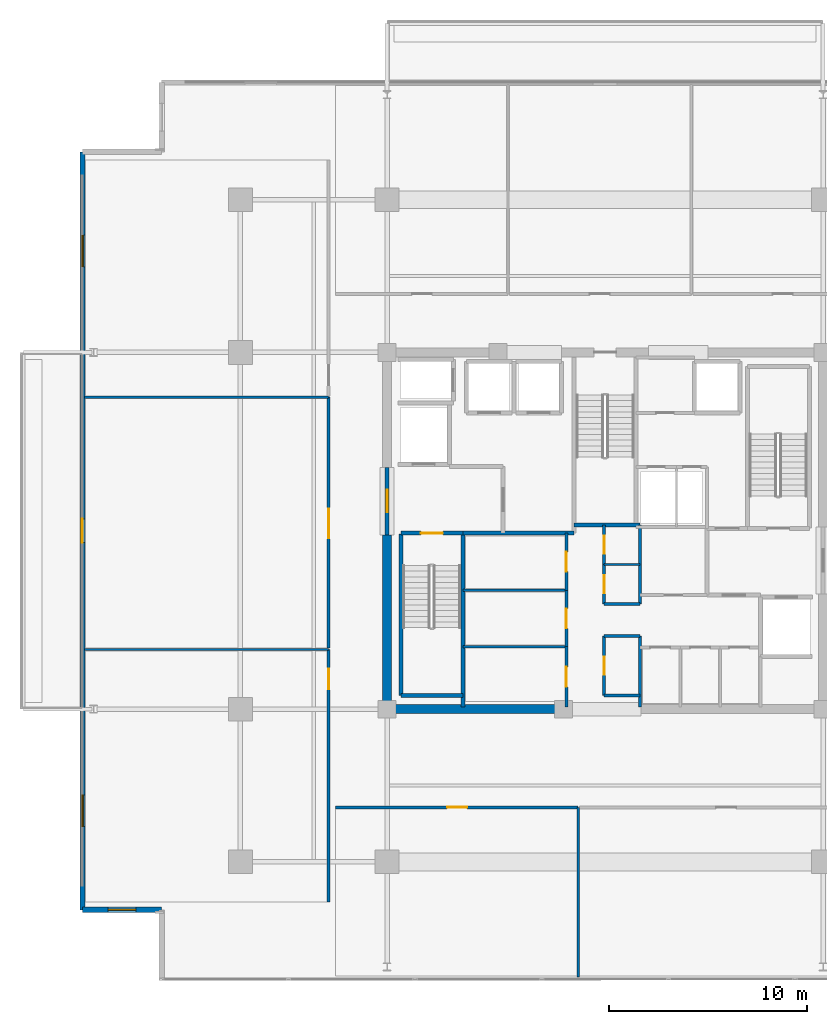
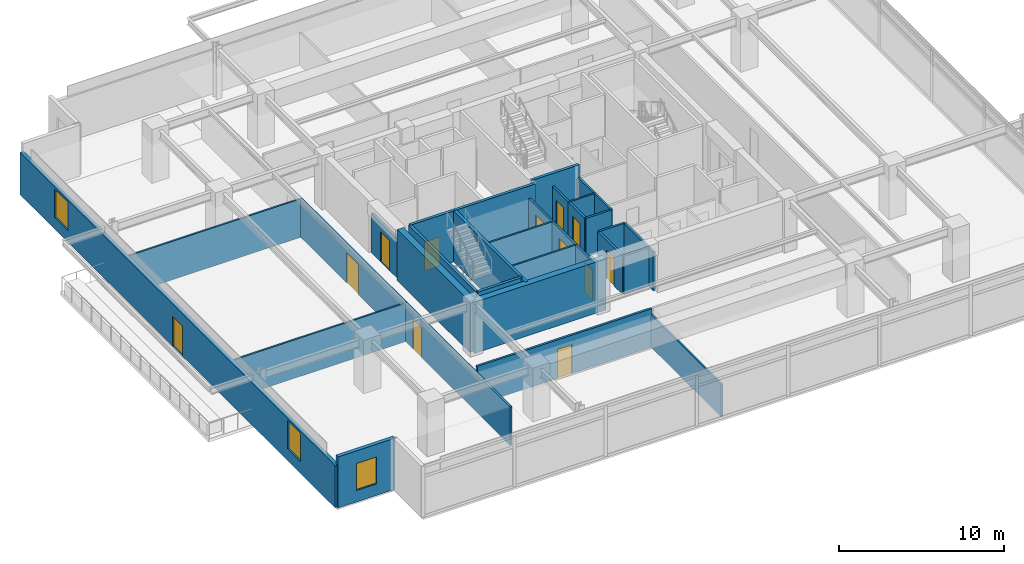
# One storey, part 15 of 21: 31 walls, 12 doors, 3 windows, 15 openings.
"""IFC4 building model written with IfcOpenShell, lengths in metres."""

from ifc_helpers import new_model, si_unit, direction, frame, frame_2d, origin, place, context, subcontext, project, spatial, rectangle, extrude, material, layer, layer_set, type_object, element, fill, save


model = new_model("IFC4")

# Units and contexts
model_context = context("Model", 3, precision=1e-05, world=origin(), true_north=direction((0.0, 1.0)))
body_context = subcontext(model_context, "Body", "Model", "MODEL_VIEW")
ifc_project = project(units=[si_unit("LENGTHUNIT", "METRE"), si_unit("AREAUNIT", "SQUARE_METRE"), si_unit("VOLUMEUNIT", "CUBIC_METRE"), si_unit("PLANEANGLEUNIT", "RADIAN"), si_unit("MASSUNIT", "GRAM", prefix="KILO")], contexts=[model_context])

# Site, building, storey
site_placement = place(None, origin())
site = spatial("IfcSite", under=ifc_project, at=site_placement, CompositionType="ELEMENT")
building_placement = place(site_placement, origin())
building = spatial("IfcBuilding", under=site, at=building_placement, Name="Kovane Verandah Tower", CompositionType="ELEMENT")
storey_placement = place(building_placement, frame((0.0, 0.0, 247.199951171875)))
storey = spatial("IfcBuildingStorey", under=building, at=storey_placement, Name="L57", CompositionType="ELEMENT", Elevation=247.199951171875)

# Walls
ifc_material_1 = material(Name="Fire-Rated Gypsum Stud Partition", Category="gypsum")
ifc_layer_1 = layer(ifc_material_1, 0.14990234375)
ifc_layer_set_1 = layer_set([ifc_layer_1], Name="Fire-Rated Gypsum Stud Partition")
wall_type_1 = type_object("IfcWallType", Name="WL-COR-150", PredefinedType="PARTITIONING", material=ifc_layer_set_1)
for number, where, z_axis, x_axis, name in (
    (1, (39.949951171875, 19.199951171875, 0.0), (0.0, 0.0, 1.0), (1.0, 0.0, 0.0), "L57 Central Core Strip South Wall"),
    (2, (39.949951171875, 22.199951171875, 0.0), (0.0, 0.0, 1.0), (1.0, 0.0, 0.0), "L57 Core Cross-Passage South Wall"),
    (3, (39.949951171875, 23.800048828125, 0.0), (0.0, 0.0, 1.0), (1.0, 0.0, 0.0), "L57 Core Cross-Passage North Wall"),
):
    element("IfcWall", number, at=place(storey_placement, frame(where, z_axis=z_axis, x_axis=x_axis)), inside=storey, type_object=wall_type_1, Name=name, PredefinedType="PARTITIONING", context=body_context, shape_type="SweptSolid", body=[
        extrude(rectangle(XDim=1.81005859375, YDim=0.14990234375, at=frame_2d((0.905029296875, 0.0))), origin(), (0.0, 0.0, 1.0), 2.85009765625),
    ])
wall_1_placement = place(storey_placement, frame((41.760009765625, 18.60009765625, 0.0), z_axis=(0.0, 0.0, 1.0), x_axis=(0.0, 1.0, 0.0)))
element("IfcWall", 4, at=wall_1_placement, inside=storey, type_object=wall_type_1, Name="L57 Central Core Strip Lower East Wall", PredefinedType="PARTITIONING", context=body_context, shape_type="SweptSolid", body=[
    extrude(rectangle(XDim=3.599853515625, YDim=0.14990234375, at=frame_2d((1.7998046875, 0.0))), origin(), (0.0, 0.0, 1.0), 2.85009765625),
])
wall_2_placement = place(storey_placement, frame((41.760009765625, 23.800048828125, 0.0), z_axis=(0.0, 0.0, 1.0), x_axis=(0.0, 1.0, 0.0)))
element("IfcWall", 5, at=wall_2_placement, inside=storey, type_object=wall_type_1, Name="L57 Central Core Strip Upper East Wall", PredefinedType="PARTITIONING", context=body_context, shape_type="SweptSolid", body=[
    extrude(rectangle(XDim=4.0, YDim=0.14990234375, at=frame_2d((2.0, 0.0))), origin(), (0.0, 0.0, 1.0), 2.85009765625),
])

# Wall, opening, door
wall_3_placement = place(storey_placement, frame((39.949951171875, 19.199951171875, 0.0), z_axis=(0.0, 0.0, 1.0), x_axis=(0.0, 1.0, 0.0)))
wall_3 = element("IfcWall", 6, at=wall_3_placement, inside=storey, type_object=wall_type_1, Name="L57 Male Toilet Partition", PredefinedType="PARTITIONING", context=body_context, shape_type="SweptSolid", body=[
    extrude(rectangle(XDim=3.0, YDim=0.14990234375, at=frame_2d((1.5, 0.0))), origin(), (0.0, 0.0, 1.0), 2.85009765625),
])
opening_1_placement = place(wall_3_placement, frame((1.050048828125, 0.0, 0.0)))
opening_1 = element("IfcOpeningElement", 7, at=opening_1_placement, cuts=wall_3, Name="Opening DR-L57-029", PredefinedType="OPENING", context=body_context, shape_type="SweptSolid", body=[
    extrude(rectangle(XDim=0.89990234375, YDim=2.10009765625, at=frame_2d((0.449951171875, 1.050048828125))), frame((0.0, 0.074951171875, 0.0), z_axis=(0.0, -1.0, 0.0), x_axis=(1.0, 0.0, 0.0)), (0.0, 0.0, 1.0), 0.14990234375),
])
ifc_material_2 = material(Name="Moisture-Resistant Laminate Washroom Door", Category="wood")
door_type_1 = type_object("IfcDoorType", Name="DR-WC-900", OperationType="SINGLE_SWING_LEFT", PredefinedType="DOOR", material=ifc_material_2)
door_1_placement = place(opening_1_placement, origin())
door_1 = element("IfcDoor", 8, at=door_1_placement, inside=storey, type_object=door_type_1, Name="L57 Male Toilet Door", OperationType="SINGLE_SWING_RIGHT", OverallHeight=2.10009765625, OverallWidth=0.89990234375, PredefinedType="DOOR", context=body_context, shape_type="SweptSolid", body=[
    extrude(rectangle(XDim=0.89990234375, YDim=2.10009765625, at=frame_2d((0.449951171875, 1.050048828125))), frame((0.0, 0.02490234375, 0.0), z_axis=(0.0, -1.0, 0.0), x_axis=(1.0, 0.0, 0.0)), (0.0, 0.0, 1.0), 0.050048828125),
])
fill(opening_1, door_1)

wall_4_placement = place(storey_placement, frame((39.949951171875, 23.800048828125, 0.0), z_axis=(0.0, 0.0, 1.0), x_axis=(0.0, 1.0, 0.0)))
wall_4 = element("IfcWall", 9, at=wall_4_placement, inside=storey, type_object=wall_type_1, Name="L57 Female Toilet Partition", PredefinedType="PARTITIONING", context=body_context, shape_type="SweptSolid", body=[
    extrude(rectangle(XDim=2.0, YDim=0.14990234375, at=frame_2d((1.0, 0.0))), origin(), (0.0, 0.0, 1.0), 2.85009765625),
])
opening_2_placement = place(wall_4_placement, frame((0.550048828125, 0.0, 0.0)))
opening_2 = element("IfcOpeningElement", 10, at=opening_2_placement, cuts=wall_4, Name="Opening DR-L57-028", PredefinedType="OPENING", context=body_context, shape_type="SweptSolid", body=[
    extrude(rectangle(XDim=0.89990234375, YDim=2.10009765625, at=frame_2d((0.449951171875, 1.050048828125))), frame((0.0, 0.074951171875, 0.0), z_axis=(0.0, -1.0, 0.0), x_axis=(1.0, 0.0, 0.0)), (0.0, 0.0, 1.0), 0.14990234375),
])
door_2_placement = place(opening_2_placement, origin())
door_2 = element("IfcDoor", 11, at=door_2_placement, inside=storey, type_object=door_type_1, Name="L57 Female Toilet Door", OperationType="SINGLE_SWING_LEFT", OverallHeight=2.10009765625, OverallWidth=0.89990234375, PredefinedType="DOOR", context=body_context, shape_type="SweptSolid", body=[
    extrude(rectangle(XDim=0.89990234375, YDim=2.10009765625, at=frame_2d((0.449951171875, 1.050048828125))), frame((0.0, 0.02490234375, 0.0), z_axis=(0.0, -1.0, 0.0), x_axis=(1.0, 0.0, 0.0)), (0.0, 0.0, 1.0), 0.050048828125),
])
fill(opening_2, door_2)

wall_5_placement = place(storey_placement, frame((39.949951171875, 25.800048828125, 0.0), z_axis=(0.0, 0.0, 1.0), x_axis=(0.0, 1.0, 0.0)))
wall_5 = element("IfcWall", 12, at=wall_5_placement, inside=storey, type_object=wall_type_1, Name="L57 Accessible Unisex Toilet Partition", PredefinedType="PARTITIONING", context=body_context, shape_type="SweptSolid", body=[
    extrude(rectangle(XDim=2.0, YDim=0.14990234375, at=frame_2d((1.0, 0.0))), origin(), (0.0, 0.0, 1.0), 2.85009765625),
])
opening_3_placement = place(wall_5_placement, frame((0.550048828125, 0.0, 0.0)))
opening_3 = element("IfcOpeningElement", 13, at=opening_3_placement, cuts=wall_5, Name="Opening DR-L57-027", PredefinedType="OPENING", context=body_context, shape_type="SweptSolid", body=[
    extrude(rectangle(XDim=0.89990234375, YDim=2.10009765625, at=frame_2d((0.449951171875, 1.050048828125))), frame((0.0, 0.074951171875, 0.0), z_axis=(0.0, -1.0, 0.0), x_axis=(1.0, 0.0, 0.0)), (0.0, 0.0, 1.0), 0.14990234375),
])
door_3_placement = place(opening_3_placement, origin())
door_3 = element("IfcDoor", 14, at=door_3_placement, inside=storey, type_object=door_type_1, Name="L57 Accessible Unisex Toilet Door", OperationType="SINGLE_SWING_RIGHT", OverallHeight=2.10009765625, OverallWidth=0.89990234375, PredefinedType="DOOR", context=body_context, shape_type="SweptSolid", body=[
    extrude(rectangle(XDim=0.89990234375, YDim=2.10009765625, at=frame_2d((0.449951171875, 1.050048828125))), frame((0.0, 0.02490234375, 0.0), z_axis=(0.0, -1.0, 0.0), x_axis=(1.0, 0.0, 0.0)), (0.0, 0.0, 1.0), 0.050048828125),
])
fill(opening_3, door_3)

wall_6_placement = place(storey_placement, frame((38.050048828125, 18.60009765625, 0.0), z_axis=(0.0, 0.0, 1.0), x_axis=(0.0, 1.0, 0.0)))
wall_6 = element("IfcWall", 15, at=wall_6_placement, inside=storey, type_object=wall_type_1, Name="L57 Project Archive Room Partition", PredefinedType="PARTITIONING", context=body_context, shape_type="SweptSolid", body=[
    extrude(rectangle(XDim=3.059814453125, YDim=0.14990234375, at=frame_2d((1.52978515625, 0.0))), origin(), (0.0, 0.0, 1.0), 2.85009765625),
])
opening_4_placement = place(wall_6_placement, frame((1.030029296875, 0.0, 0.0)))
opening_4 = element("IfcOpeningElement", 16, at=opening_4_placement, cuts=wall_6, Name="Opening DR-L57-012", PredefinedType="OPENING", context=body_context, shape_type="SweptSolid", body=[
    extrude(rectangle(XDim=1.0, YDim=2.14990234375, at=frame_2d((0.5, 1.074951171875))), frame((0.0, 0.074951171875, 0.0), z_axis=(0.0, -1.0, 0.0), x_axis=(1.0, 0.0, 0.0)), (0.0, 0.0, 1.0), 0.14990234375),
])
ifc_material_3 = material(Name="FSC Spotted-Gum Timber Fire-Rated Office Door", Category="wood")
door_type_2 = type_object("IfcDoorType", Name="DR-OFF-1000", OperationType="SINGLE_SWING_LEFT", PredefinedType="DOOR", material=ifc_material_3)
door_4_placement = place(opening_4_placement, origin())
door_4 = element("IfcDoor", 17, at=door_4_placement, inside=storey, type_object=door_type_2, Name="L57 Project Archive Room Door", OperationType="SINGLE_SWING_LEFT", OverallHeight=2.14990234375, OverallWidth=1.0, PredefinedType="DOOR", context=body_context, shape_type="SweptSolid", body=[
    extrude(rectangle(XDim=1.0, YDim=2.14990234375, at=frame_2d((0.5, 1.074951171875))), frame((0.0, 0.02490234375, 0.0), z_axis=(0.0, -1.0, 0.0), x_axis=(1.0, 0.0, 0.0)), (0.0, 0.0, 1.0), 0.050048828125),
])
fill(opening_4, door_4)

wall_7_placement = place(storey_placement, frame((38.050048828125, 21.659912109375, 0.0), z_axis=(0.0, 0.0, 1.0), x_axis=(0.0, 1.0, 0.0)))
wall_7 = element("IfcWall", 18, at=wall_7_placement, inside=storey, type_object=wall_type_1, Name="L57 First Aid and Wellness Room Partition", PredefinedType="PARTITIONING", context=body_context, shape_type="SweptSolid", body=[
    extrude(rectangle(XDim=2.840087890625, YDim=0.14990234375, at=frame_2d((1.419921875, 0.0))), origin(), (0.0, 0.0, 1.0), 2.85009765625),
])
opening_5_placement = place(wall_7_placement, frame((0.919921875, 0.0, 0.0)))
opening_5 = element("IfcOpeningElement", 19, at=opening_5_placement, cuts=wall_7, Name="Opening DR-L57-013", PredefinedType="OPENING", context=body_context, shape_type="SweptSolid", body=[
    extrude(rectangle(XDim=1.0, YDim=2.14990234375, at=frame_2d((0.5, 1.074951171875))), frame((0.0, 0.074951171875, 0.0), z_axis=(0.0, -1.0, 0.0), x_axis=(1.0, 0.0, 0.0)), (0.0, 0.0, 1.0), 0.14990234375),
])
door_5_placement = place(opening_5_placement, origin())
door_5 = element("IfcDoor", 20, at=door_5_placement, inside=storey, type_object=door_type_2, Name="L57 First Aid and Wellness Room Door", OperationType="SINGLE_SWING_RIGHT", OverallHeight=2.14990234375, OverallWidth=1.0, PredefinedType="DOOR", context=body_context, shape_type="SweptSolid", body=[
    extrude(rectangle(XDim=1.0, YDim=2.14990234375, at=frame_2d((0.5, 1.074951171875))), frame((0.0, 0.02490234375, 0.0), z_axis=(0.0, -1.0, 0.0), x_axis=(1.0, 0.0, 0.0)), (0.0, 0.0, 1.0), 0.050048828125),
])
fill(opening_5, door_5)

wall_8_placement = place(storey_placement, frame((38.050048828125, 24.5, 0.0), z_axis=(0.0, 0.0, 1.0), x_axis=(0.0, 1.0, 0.0)))
wall_8 = element("IfcWall", 21, at=wall_8_placement, inside=storey, type_object=wall_type_1, Name="L57 Tea and Copy Hub Partition", PredefinedType="PARTITIONING", context=body_context, shape_type="SweptSolid", body=[
    extrude(rectangle(XDim=2.8798828125, YDim=0.14990234375, at=frame_2d((1.43994140625, 0.0))), origin(), (0.0, 0.0, 1.0), 2.85009765625),
])
opening_6_placement = place(wall_8_placement, frame((0.93994140625, 0.0, 0.0)))
opening_6 = element("IfcOpeningElement", 22, at=opening_6_placement, cuts=wall_8, Name="Opening DR-L57-014", PredefinedType="OPENING", context=body_context, shape_type="SweptSolid", body=[
    extrude(rectangle(XDim=1.0, YDim=2.14990234375, at=frame_2d((0.5, 1.074951171875))), frame((0.0, 0.074951171875, 0.0), z_axis=(0.0, -1.0, 0.0), x_axis=(1.0, 0.0, 0.0)), (0.0, 0.0, 1.0), 0.14990234375),
])
door_6_placement = place(opening_6_placement, origin())
door_6 = element("IfcDoor", 23, at=door_6_placement, inside=storey, type_object=door_type_2, Name="L57 Tea and Copy Hub Door", OperationType="SINGLE_SWING_LEFT", OverallHeight=2.14990234375, OverallWidth=1.0, PredefinedType="DOOR", context=body_context, shape_type="SweptSolid", body=[
    extrude(rectangle(XDim=1.0, YDim=2.14990234375, at=frame_2d((0.5, 1.074951171875))), frame((0.0, 0.02490234375, 0.0), z_axis=(0.0, -1.0, 0.0), x_axis=(1.0, 0.0, 0.0)), (0.0, 0.0, 1.0), 0.050048828125),
])
fill(opening_6, door_6)

wall_9_placement = place(storey_placement, frame((26.39990234375, 13.550048828125, 0.0), z_axis=(0.0, 0.0, 1.0), x_axis=(1.0, 0.0, 0.0)))
wall_9 = element("IfcWall", 24, at=wall_9_placement, inside=storey, type_object=wall_type_1, Name="L57 Document and Print Room S1 Corridor Partition", PredefinedType="PARTITIONING", context=body_context, shape_type="SweptSolid", body=[
    extrude(rectangle(XDim=12.239990234375, YDim=0.14990234375, at=frame_2d((6.1201171875, 0.0))), origin(), (0.0, 0.0, 1.0), 2.85009765625),
])
opening_7_placement = place(wall_9_placement, frame((5.635009765625, 0.0, 0.0)))
opening_7 = element("IfcOpeningElement", 25, at=opening_7_placement, cuts=wall_9, Name="Opening DR-L57-025", PredefinedType="OPENING", context=body_context, shape_type="SweptSolid", body=[
    extrude(rectangle(XDim=1.0, YDim=2.14990234375, at=frame_2d((0.5, 1.074951171875))), frame((0.0, 0.074951171875, 0.0), z_axis=(0.0, -1.0, 0.0), x_axis=(1.0, 0.0, 0.0)), (0.0, 0.0, 1.0), 0.14990234375),
])
door_7_placement = place(opening_7_placement, origin())
door_7 = element("IfcDoor", 26, at=door_7_placement, inside=storey, type_object=door_type_2, Name="L57 Document and Print Room S1 Entrance Door", OperationType="SINGLE_SWING_RIGHT", OverallHeight=2.14990234375, OverallWidth=1.0, PredefinedType="DOOR", context=body_context, shape_type="SweptSolid", body=[
    extrude(rectangle(XDim=1.0, YDim=2.14990234375, at=frame_2d((0.5, 1.074951171875))), frame((0.0, 0.02490234375, 0.0), z_axis=(0.0, -1.0, 0.0), x_axis=(1.0, 0.0, 0.0)), (0.0, 0.0, 1.0), 0.050048828125),
])
fill(opening_7, door_7)

wall_10_placement = place(storey_placement, frame((26.050048828125, 8.78173828125, 0.0), z_axis=(0.0, 0.0, 1.0), x_axis=(0.0, 1.0, 0.0)))
wall_10 = element("IfcWall", 27, at=wall_10_placement, inside=storey, type_object=wall_type_1, Name="L57 Executive Office W1 Corridor Partition", PredefinedType="PARTITIONING", context=body_context, shape_type="SweptSolid", body=[
    extrude(rectangle(XDim=12.728515625, YDim=0.14990234375, at=frame_2d((6.3642578125, 0.0))), origin(), (0.0, 0.0, 1.0), 2.85009765625),
])
opening_8_placement = place(wall_10_placement, frame((10.71337890625, 0.0, 0.0)))
opening_8 = element("IfcOpeningElement", 28, at=opening_8_placement, cuts=wall_10, Name="Opening DR-L57-030", PredefinedType="OPENING", context=body_context, shape_type="SweptSolid", body=[
    extrude(rectangle(XDim=1.050048828125, YDim=2.199951171875, at=frame_2d((0.52490234375, 1.10009765625))), frame((0.0, 0.074951171875, 0.0), z_axis=(0.0, -1.0, 0.0), x_axis=(1.0, 0.0, 0.0)), (0.0, 0.0, 1.0), 0.14990234375),
])
ifc_material_4 = material(Name="FSC Blackbutt Timber Fire-Rated Executive Door", Category="wood")
door_type_3 = type_object("IfcDoorType", Name="DR-EXEC-1050", OperationType="SINGLE_SWING_LEFT", PredefinedType="DOOR", material=ifc_material_4)
door_8_placement = place(opening_8_placement, origin())
door_8 = element("IfcDoor", 29, at=door_8_placement, inside=storey, type_object=door_type_3, Name="L57 Executive Office W1 Entrance Door", OperationType="SINGLE_SWING_RIGHT", OverallHeight=2.199951171875, OverallWidth=1.050048828125, PredefinedType="DOOR", context=body_context, shape_type="SweptSolid", body=[
    extrude(rectangle(XDim=1.050048828125, YDim=2.199951171875, at=frame_2d((0.52490234375, 1.10009765625))), frame((0.0, 0.02490234375, 0.0), z_axis=(0.0, -1.0, 0.0), x_axis=(1.0, 0.0, 0.0)), (0.0, 0.0, 1.0), 0.050048828125),
])
fill(opening_8, door_8)

wall_11_placement = place(storey_placement, frame((26.050048828125, 21.580078125, 0.0), z_axis=(0.0, 0.0, 1.0), x_axis=(0.0, 1.0, 0.0)))
wall_11 = element("IfcWall", 30, at=wall_11_placement, inside=storey, type_object=wall_type_1, Name="L57 Client Boardroom W2 Corridor Partition", PredefinedType="PARTITIONING", context=body_context, shape_type="SweptSolid", body=[
    extrude(rectangle(XDim=12.658447265625, YDim=0.14990234375, at=frame_2d((6.3291015625, 0.0))), origin(), (0.0, 0.0, 1.0), 2.85009765625),
])
opening_9_placement = place(wall_11_placement, frame((5.544189453125, 0.0, 0.0)))
opening_9 = element("IfcOpeningElement", 31, at=opening_9_placement, cuts=wall_11, Name="Opening DR-L57-031", PredefinedType="OPENING", context=body_context, shape_type="SweptSolid", body=[
    extrude(rectangle(XDim=1.5, YDim=2.25, at=frame_2d((0.75, 1.125))), frame((0.0, 0.074951171875, 0.0), z_axis=(0.0, -1.0, 0.0), x_axis=(1.0, 0.0, 0.0)), (0.0, 0.0, 1.0), 0.14990234375),
])
ifc_material_5 = material(Name="Glazed Timber Fire-Rated Double Door", Category="wood")
door_type_4 = type_object("IfcDoorType", Name="DR-CONF-1500", OperationType="DOUBLE_DOOR_SINGLE_SWING", PredefinedType="DOOR", material=ifc_material_5)
door_9_placement = place(opening_9_placement, origin())
door_9 = element("IfcDoor", 32, at=door_9_placement, inside=storey, type_object=door_type_4, Name="L57 Client Boardroom W2 Entrance Door", OperationType="DOUBLE_DOOR_SINGLE_SWING", OverallHeight=2.25, OverallWidth=1.5, PredefinedType="DOOR", context=body_context, shape_type="SweptSolid", body=[
    extrude(rectangle(XDim=1.5, YDim=2.25, at=frame_2d((0.75, 1.125))), frame((0.0, 0.02490234375, 0.0), z_axis=(0.0, -1.0, 0.0), x_axis=(1.0, 0.0, 0.0)), (0.0, 0.0, 1.0), 0.050048828125),
])
fill(opening_9, door_9)

# Walls
ifc_material_6 = material(Name="Concrete C60/75", Category="concrete")
ifc_layer_2 = layer(ifc_material_6, 0.449951171875)
ifc_layer_set_2 = layer_set([ifc_layer_2], Name="Concrete C60/75")
wall_type_2 = type_object("IfcWallType", Name="WL-CORE-450", PredefinedType="SHEAR", material=ifc_layer_set_2)
wall_12_placement = place(storey_placement, frame((29.0, 18.5, 0.0), z_axis=(0.0, 0.0, 1.0), x_axis=(1.0, 0.0, 0.0)))
element("IfcWall", 33, at=wall_12_placement, inside=storey, type_object=wall_type_2, Name="L57 Core Shear Wall CS-1", PredefinedType="SHEAR", context=body_context, shape_type="SweptSolid", body=[
    extrude(rectangle(XDim=9.199951171875, YDim=0.449951171875, at=frame_2d((4.60009765625, 0.0))), origin(), (0.0, 0.0, 1.0), 3.78515625),
])
wall_13_placement = place(storey_placement, frame((29.0, 18.5, 0.0), z_axis=(0.0, 0.0, 1.0), x_axis=(0.0, 1.0, 0.0)))
element("IfcWall", 34, at=wall_13_placement, inside=storey, type_object=wall_type_2, Name="L57 Core Shear Wall CW-1", PredefinedType="SHEAR", context=body_context, shape_type="SweptSolid", body=[
    extrude(rectangle(XDim=8.800048828125, YDim=0.449951171875, at=frame_2d((4.39990234375, 0.0))), origin(), (0.0, 0.0, 1.0), 3.78515625),
])

# Wall, opening, door
ifc_material_7 = material(Name="Concrete C45/55 Fire Wall", Category="concrete")
ifc_layer_3 = layer(ifc_material_7, 0.199951171875)
ifc_layer_set_3 = layer_set([ifc_layer_3], Name="Concrete C45/55 Fire Wall")
wall_type_3 = type_object("IfcWallType", Name="WL-FFL-200", PredefinedType="PARTITIONING", material=ifc_layer_set_3)
wall_14_placement = place(storey_placement, frame((29.0, 27.300048828125, 0.0), z_axis=(0.0, 0.0, 1.0), x_axis=(0.0, 1.0, 0.0)))
wall_14 = element("IfcWall", 35, at=wall_14_placement, inside=storey, type_object=wall_type_3, Name="W-L57-FFLW-OUT", PredefinedType="PARTITIONING", context=body_context, shape_type="SweptSolid", body=[
    extrude(rectangle(XDim=3.39990234375, YDim=0.199951171875, at=frame_2d((1.699951171875, 0.0))), origin(), (0.0, 0.0, 1.0), 2.864990234375),
])
opening_10_placement = place(wall_14_placement, frame((1.125, 0.0, 0.0)))
opening_10 = element("IfcOpeningElement", 36, at=opening_10_placement, cuts=wall_14, Name="Opening DR-L57-007", PredefinedType="OPENING", context=body_context, shape_type="SweptSolid", body=[
    extrude(rectangle(XDim=1.14990234375, YDim=2.199951171875, at=frame_2d((0.574951171875, 1.10009765625))), frame((0.0, 0.10009765625, 0.0), z_axis=(0.0, -1.0, 0.0), x_axis=(1.0, 0.0, 0.0)), (0.0, 0.0, 1.0), 0.199951171875),
])
ifc_material_8 = material(Name="Smoke-Sealed Firefighting Lobby Door", Category="steel")
door_type_5 = type_object("IfcDoorType", Name="DR-FFL-1150", OperationType="SINGLE_SWING_LEFT", PredefinedType="DOOR", material=ifc_material_8)
door_10_placement = place(opening_10_placement, origin())
door_10 = element("IfcDoor", 37, at=door_10_placement, inside=storey, type_object=door_type_5, Name="L57 West Firefighting Lobby Corridor Door", OperationType="SINGLE_SWING_RIGHT", OverallHeight=2.199951171875, OverallWidth=1.14990234375, PredefinedType="DOOR", context=body_context, shape_type="SweptSolid", body=[
    extrude(rectangle(XDim=1.14990234375, YDim=2.199951171875, at=frame_2d((0.574951171875, 1.10009765625))), frame((0.0, 0.02490234375, 0.0), z_axis=(0.0, -1.0, 0.0), x_axis=(1.0, 0.0, 0.0)), (0.0, 0.0, 1.0), 0.050048828125),
])
fill(opening_10, door_10)

# Walls
wall_15_placement = place(storey_placement, frame((32.820068359375, 27.3798828125, 0.0), z_axis=(0.0, 0.0, 1.0), x_axis=(1.0, 0.0, 0.0)))
element("IfcWall", 38, at=wall_15_placement, inside=storey, type_object=wall_type_3, Name="L57 West Firefighting Lobby South Fire Wall", PredefinedType="PARTITIONING", context=body_context, shape_type="SweptSolid", body=[
    extrude(rectangle(XDim=5.619873046875, YDim=0.199951171875, at=frame_2d((2.81005859375, 0.0))), origin(), (0.0, 0.0, 1.0), 3.78515625),
])
ifc_material_9 = material(Name="Acoustic Fire-Rated Gypsum Partition", Category="gypsum")
ifc_layer_4 = layer(ifc_material_9, 0.1201171875)
ifc_layer_set_4 = layer_set([ifc_layer_4], Name="Acoustic Fire-Rated Gypsum Partition")
wall_type_4 = type_object("IfcWallType", Name="WL-PART-120", PredefinedType="PARTITIONING", material=ifc_layer_set_4)
wall_16_placement = place(storey_placement, frame((39.949951171875, 25.800048828125, 0.0), z_axis=(0.0, 0.0, 1.0), x_axis=(1.0, 0.0, 0.0)))
element("IfcWall", 39, at=wall_16_placement, inside=storey, type_object=wall_type_4, Name="L57 Central Core Strip Upper Dividing Partition", PredefinedType="PARTITIONING", context=body_context, shape_type="SweptSolid", body=[
    extrude(rectangle(XDim=1.81005859375, YDim=0.1201171875, at=frame_2d((0.905029296875, 0.0))), origin(), (0.0, 0.0, 1.0), 2.85009765625),
])
for number, where, z_axis, x_axis, name in (
    (40, (32.820068359375, 21.659912109375, 0.0), (0.0, 0.0, 1.0), (1.0, 0.0, 0.0), "L57 Core Support Lower Dividing Partition"),
    (41, (32.820068359375, 24.5, 0.0), (0.0, 0.0, 1.0), (1.0, 0.0, 0.0), "L57 Core Support Upper Dividing Partition"),
):
    element("IfcWall", number, at=place(storey_placement, frame(where, z_axis=z_axis, x_axis=x_axis)), inside=storey, type_object=wall_type_4, Name=name, PredefinedType="PARTITIONING", context=body_context, shape_type="SweptSolid", body=[
        extrude(rectangle(XDim=5.22998046875, YDim=0.1201171875, at=frame_2d((2.614990234375, 0.0))), origin(), (0.0, 0.0, 1.0), 2.85009765625),
    ])
wall_17_placement = place(storey_placement, frame((38.639892578125, 4.981689453125, 0.0), z_axis=(0.0, 0.0, 1.0), x_axis=(0.0, 1.0, 0.0)))
element("IfcWall", 42, at=wall_17_placement, inside=storey, type_object=wall_type_4, Name="L57 Document and Print Room S1 Dividing Partition", PredefinedType="PARTITIONING", context=body_context, shape_type="SweptSolid", body=[
    extrude(rectangle(XDim=8.568359375, YDim=0.1201171875, at=frame_2d((4.2841796875, 0.0))), origin(), (0.0, 0.0, 1.0), 2.4150390625),
])
for number, where, z_axis, x_axis, name in (
    (43, (13.7333984375, 21.51025390625, 0.0), (0.0, 0.0, 1.0), (1.0, 0.0, 0.0), "L57 Executive Office W1 Dividing Partition"),
    (44, (13.7333984375, 34.238525390625, 0.0), (0.0, 0.0, 1.0), (1.0, 0.0, 0.0), "L57 Client Boardroom W2 Dividing Partition"),
):
    element("IfcWall", number, at=place(storey_placement, frame(where, z_axis=z_axis, x_axis=x_axis)), inside=storey, type_object=wall_type_4, Name=name, PredefinedType="PARTITIONING", context=body_context, shape_type="SweptSolid", body=[
        extrude(rectangle(XDim=12.316650390625, YDim=0.1201171875, at=frame_2d((6.158203125, 0.0))), origin(), (0.0, 0.0, 1.0), 2.85009765625),
    ])
ifc_material_10 = material(Name="Concrete C45/55", Category="concrete")
ifc_layer_5 = layer(ifc_material_10, 0.199951171875)
ifc_layer_set_5 = layer_set([ifc_layer_5], Name="Concrete C45/55")
wall_type_5 = type_object("IfcWallType", Name="WL-SHAFT-200", PredefinedType="SOLIDWALL", material=ifc_layer_set_5)
wall_18_placement = place(storey_placement, frame((29.699951171875, 19.199951171875, 0.0), z_axis=(0.0, 0.0, 1.0), x_axis=(0.0, 1.0, 0.0)))
element("IfcWall", 45, at=wall_18_placement, inside=storey, type_object=wall_type_5, Name="W-L57-ST01-W", PredefinedType="SOLIDWALL", context=body_context, shape_type="SweptSolid", body=[
    extrude(rectangle(XDim=8.150146484375, YDim=0.199951171875, at=frame_2d((4.0751953125, 0.0))), origin(), (0.0, 0.0, 1.0), 3.78515625),
])
wall_19_placement = place(storey_placement, frame((29.699951171875, 19.199951171875, 0.0), z_axis=(0.0, 0.0, 1.0), x_axis=(1.0, 0.0, 0.0)))
element("IfcWall", 46, at=wall_19_placement, inside=storey, type_object=wall_type_5, Name="W-L57-ST01-S", PredefinedType="SOLIDWALL", context=body_context, shape_type="SweptSolid", body=[
    extrude(rectangle(XDim=3.1201171875, YDim=0.199951171875, at=frame_2d((1.56005859375, 0.0))), origin(), (0.0, 0.0, 1.0), 3.78515625),
])
wall_20_placement = place(storey_placement, frame((32.820068359375, 18.60009765625, 0.0), z_axis=(0.0, 0.0, 1.0), x_axis=(0.0, 1.0, 0.0)))
element("IfcWall", 47, at=wall_20_placement, inside=storey, type_object=wall_type_5, Name="W-L57-ST01-E", PredefinedType="SOLIDWALL", context=body_context, shape_type="SweptSolid", body=[
    extrude(rectangle(XDim=8.77978515625, YDim=0.199951171875, at=frame_2d((4.389892578125, 0.0))), origin(), (0.0, 0.0, 1.0), 3.78515625),
])

# Wall, opening, door
wall_21_placement = place(storey_placement, frame((29.699951171875, 27.3798828125, 0.0), z_axis=(0.0, 0.0, 1.0), x_axis=(1.0, 0.0, 0.0)))
wall_21 = element("IfcWall", 48, at=wall_21_placement, inside=storey, type_object=wall_type_5, Name="W-L57-ST01-N", PredefinedType="SOLIDWALL", context=body_context, shape_type="SweptSolid", body=[
    extrude(rectangle(XDim=3.1201171875, YDim=0.199951171875, at=frame_2d((1.56005859375, 0.0))), origin(), (0.0, 0.0, 1.0), 3.78515625),
])
opening_11_placement = place(wall_21_placement, frame((1.010009765625, 0.0, 0.0)))
opening_11 = element("IfcOpeningElement", 49, at=opening_11_placement, cuts=wall_21, Name="Opening DR-L57-008", PredefinedType="OPENING", context=body_context, shape_type="SweptSolid", body=[
    extrude(rectangle(XDim=1.10009765625, YDim=2.14990234375, at=frame_2d((0.550048828125, 1.074951171875))), frame((0.0, 0.10009765625, 0.0), z_axis=(0.0, -1.0, 0.0), x_axis=(1.0, 0.0, 0.0)), (0.0, 0.0, 1.0), 0.199951171875),
])
ifc_material_11 = material(Name="Fire-Rated Steel Exit Door", Category="steel")
door_type_6 = type_object("IfcDoorType", Name="DR-STAIR-1100", OperationType="SINGLE_SWING_LEFT", PredefinedType="DOOR", material=ifc_material_11)
door_11_placement = place(opening_11_placement, origin())
door_11 = element("IfcDoor", 50, at=door_11_placement, inside=storey, type_object=door_type_6, Name="L57 ST-01 Fire Exit Stair Door", OperationType="SINGLE_SWING_LEFT", OverallHeight=2.14990234375, OverallWidth=1.10009765625, PredefinedType="DOOR", context=body_context, shape_type="SweptSolid", body=[
    extrude(rectangle(XDim=1.10009765625, YDim=2.14990234375, at=frame_2d((0.550048828125, 1.074951171875))), frame((0.0, 0.02490234375, 0.0), z_axis=(0.0, -1.0, 0.0), x_axis=(1.0, 0.0, 0.0)), (0.0, 0.0, 1.0), 0.050048828125),
])
fill(opening_11, door_11)

# Wall
wall_22_placement = place(storey_placement, frame((38.43994140625, 27.800048828125, 0.0), z_axis=(0.0, 0.0, 1.0), x_axis=(1.0, 0.0, 0.0)))
element("IfcWall", 51, at=wall_22_placement, inside=storey, type_object=wall_type_5, Name="W-L57-ST03-S", PredefinedType="SOLIDWALL", context=body_context, shape_type="SweptSolid", body=[
    extrude(rectangle(XDim=3.320068359375, YDim=0.199951171875, at=frame_2d((1.66015625, 0.0))), origin(), (0.0, 0.0, 1.0), 3.78515625),
])

# Wall, openings, door, windows
ifc_material_12 = material(Name="Concrete C45/55 Insulated Spandrel Wall", Category="concrete")
ifc_layer_6 = layer(ifc_material_12, 0.260009765625)
ifc_layer_set_6 = layer_set([ifc_layer_6], Name="Concrete C45/55 Insulated Spandrel Wall")
wall_type_6 = type_object("IfcWallType", Name="WL-SPANDREL-260", PredefinedType="PARAPET", material=ifc_layer_set_6)
wall_23_placement = place(storey_placement, frame((13.633544921875, 46.6181640625, 0.0), z_axis=(0.0, 0.0, 1.0), x_axis=(0.0, -1.0, 0.0)))
wall_23 = element("IfcWall", 52, at=wall_23_placement, inside=storey, type_object=wall_type_6, Name="L57 W Verandah Access Facade Wall", PredefinedType="PARAPET", context=body_context, shape_type="SweptSolid", body=[
    extrude(rectangle(XDim=38.236328125, YDim=0.260009765625, at=frame_2d((19.1181640625, 0.0))), origin(), (0.0, 0.0, 1.0), 3.122802734375),
])
opening_12_placement = place(wall_23_placement, frame((4.199951171875, 0.0, 0.85009765625)))
opening_12 = element("IfcOpeningElement", 53, at=opening_12_placement, cuts=wall_23, Name="Opening W-02", PredefinedType="OPENING", context=body_context, shape_type="SweptSolid", body=[
    extrude(rectangle(XDim=1.60009765625, YDim=2.10009765625, at=frame_2d((0.800048828125, 1.050048828125))), frame((0.0, 0.1298828125, 0.0), z_axis=(0.0, -1.0, 0.0), x_axis=(1.0, 0.0, 0.0)), (0.0, 0.0, 1.0), 0.260009765625),
])
opening_13_placement = place(wall_23_placement, frame((18.518310546875, 0.0, 0.0)))
opening_13 = element("IfcOpeningElement", 54, at=opening_13_placement, cuts=wall_23, Name="Opening DR-L57-002", PredefinedType="OPENING", context=body_context, shape_type="SweptSolid", body=[
    extrude(rectangle(XDim=1.199951171875, YDim=2.199951171875, at=frame_2d((0.60009765625, 1.10009765625))), frame((0.0, 0.1298828125, 0.0), z_axis=(0.0, -1.0, 0.0), x_axis=(1.0, 0.0, 0.0)), (0.0, 0.0, 1.0), 0.260009765625),
])
opening_14_placement = place(wall_23_placement, frame((32.436279296875, 0.0, 0.85009765625)))
opening_14 = element("IfcOpeningElement", 55, at=opening_14_placement, cuts=wall_23, Name="Opening W-02", PredefinedType="OPENING", context=body_context, shape_type="SweptSolid", body=[
    extrude(rectangle(XDim=1.60009765625, YDim=2.10009765625, at=frame_2d((0.800048828125, 1.050048828125))), frame((0.0, 0.1298828125, 0.0), z_axis=(0.0, -1.0, 0.0), x_axis=(1.0, 0.0, 0.0)), (0.0, 0.0, 1.0), 0.260009765625),
])
ifc_material_13 = material(Name="Cyclone-Rated Glazed Balcony Leaf Door", Category="aluminium")
door_type_7 = type_object("IfcDoorType", Name="DR-BAL-1200x2200", OperationType="SINGLE_SWING_LEFT", PredefinedType="DOOR", material=ifc_material_13)
door_12_placement = place(opening_13_placement, origin())
door_12 = element("IfcDoor", 56, at=door_12_placement, inside=storey, type_object=door_type_7, Name="L57 W Planted Balcony Access Door", OperationType="SINGLE_SWING_LEFT", OverallHeight=2.199951171875, OverallWidth=1.199951171875, PredefinedType="DOOR", context=body_context, shape_type="SweptSolid", body=[
    extrude(rectangle(XDim=1.199951171875, YDim=2.199951171875, at=frame_2d((0.60009765625, 1.10009765625))), frame((0.0, 0.02490234375, 0.0), z_axis=(0.0, -1.0, 0.0), x_axis=(1.0, 0.0, 0.0)), (0.0, 0.0, 1.0), 0.050048828125),
])
fill(opening_13, door_12)
ifc_material_14 = material(Name="Clear Low-E Laminated Double Glazing in Anodised Frame", Category="glass")
window_type_1 = type_object("IfcWindowType", Name="WN-OPER-1600x2100", PartitioningType="SINGLE_PANEL", PredefinedType="WINDOW", material=ifc_material_14)
window_1_placement = place(opening_12_placement, origin())
window_1 = element("IfcWindow", 57, at=window_1_placement, inside=storey, type_object=window_type_1, Name="L57 W Verandah View Window 1", OverallHeight=2.10009765625, OverallWidth=1.60009765625, PartitioningType="SINGLE_PANEL", PredefinedType="WINDOW", context=body_context, shape_type="SweptSolid", body=[
    extrude(rectangle(XDim=1.60009765625, YDim=2.10009765625, at=frame_2d((0.800048828125, 1.050048828125))), frame((0.0, 0.030029296875, 0.0), z_axis=(0.0, -1.0, 0.0), x_axis=(1.0, 0.0, 0.0)), (0.0, 0.0, 1.0), 0.06005859375),
])
fill(opening_12, window_1)
window_2_placement = place(opening_14_placement, origin())
window_2 = element("IfcWindow", 58, at=window_2_placement, inside=storey, type_object=window_type_1, Name="L57 W Verandah View Window 2", OverallHeight=2.10009765625, OverallWidth=1.60009765625, PartitioningType="SINGLE_PANEL", PredefinedType="WINDOW", context=body_context, shape_type="SweptSolid", body=[
    extrude(rectangle(XDim=1.60009765625, YDim=2.10009765625, at=frame_2d((0.800048828125, 1.050048828125))), frame((0.0, 0.030029296875, 0.0), z_axis=(0.0, -1.0, 0.0), x_axis=(1.0, 0.0, 0.0)), (0.0, 0.0, 1.0), 0.06005859375),
])
fill(opening_14, window_2)

# Wall, opening, window
wall_24_placement = place(storey_placement, frame((13.633544921875, 8.3818359375, 0.0), z_axis=(0.0, 0.0, 1.0), x_axis=(1.0, 0.0, 0.0)))
wall_24 = element("IfcWall", 59, at=wall_24_placement, inside=storey, type_object=wall_type_6, Name="L57 SW Notch Cheek Wall 1", PredefinedType="PARAPET", context=body_context, shape_type="SweptSolid", body=[
    extrude(rectangle(XDim=4.0, YDim=0.260009765625, at=frame_2d((2.0, 0.0))), origin(), (0.0, 0.0, 1.0), 3.78515625),
])
opening_15_placement = place(wall_24_placement, frame((1.300048828125, 0.0, 0.85009765625)))
opening_15 = element("IfcOpeningElement", 60, at=opening_15_placement, cuts=wall_24, Name="Opening W-01", PredefinedType="OPENING", context=body_context, shape_type="SweptSolid", body=[
    extrude(rectangle(XDim=1.39990234375, YDim=2.0, at=frame_2d((0.699951171875, 1.0))), frame((0.0, 0.1298828125, 0.0), z_axis=(0.0, -1.0, 0.0), x_axis=(1.0, 0.0, 0.0)), (0.0, 0.0, 1.0), 0.260009765625),
])
window_type_2 = type_object("IfcWindowType", Name="WN-OPER-1400x2000", PartitioningType="SINGLE_PANEL", PredefinedType="WINDOW", material=ifc_material_14)
window_3_placement = place(opening_15_placement, origin())
window_3 = element("IfcWindow", 61, at=window_3_placement, inside=storey, type_object=window_type_2, Name="L57 SW Re-Entrant Corner Operable Window", OverallHeight=2.0, OverallWidth=1.39990234375, PartitioningType="SINGLE_PANEL", PredefinedType="WINDOW", context=body_context, shape_type="SweptSolid", body=[
    extrude(rectangle(XDim=1.39990234375, YDim=2.0, at=frame_2d((0.699951171875, 1.0))), frame((0.0, 0.030029296875, 0.0), z_axis=(0.0, -1.0, 0.0), x_axis=(1.0, 0.0, 0.0)), (0.0, 0.0, 1.0), 0.06005859375),
])
fill(opening_15, window_3)

save(model, "model.ifc")
